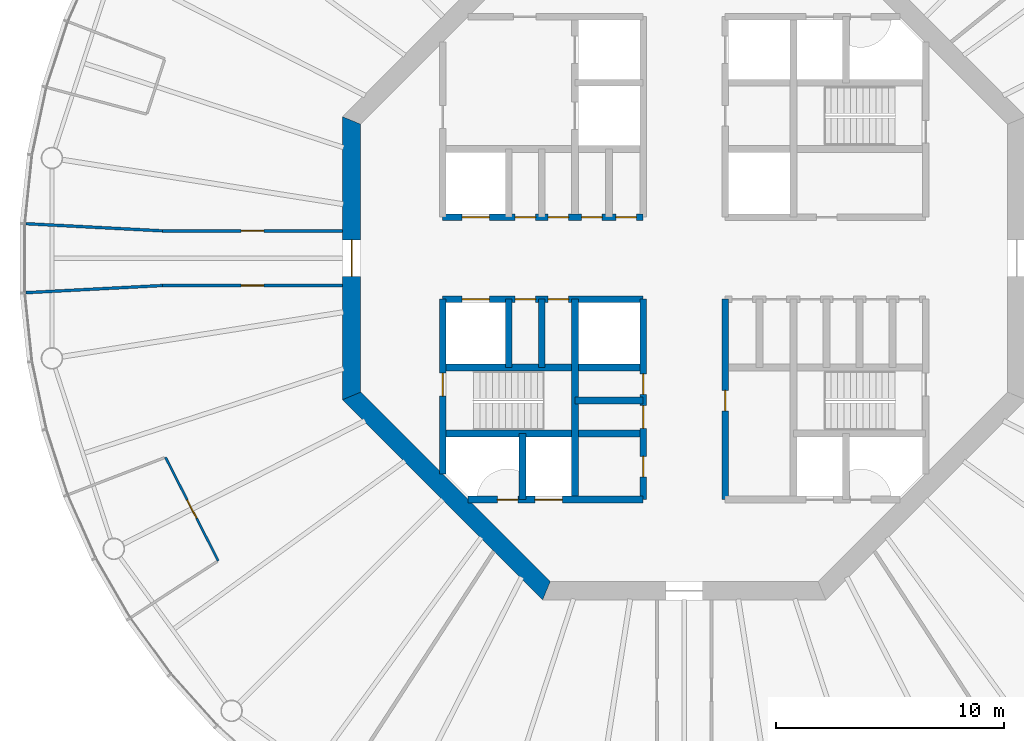
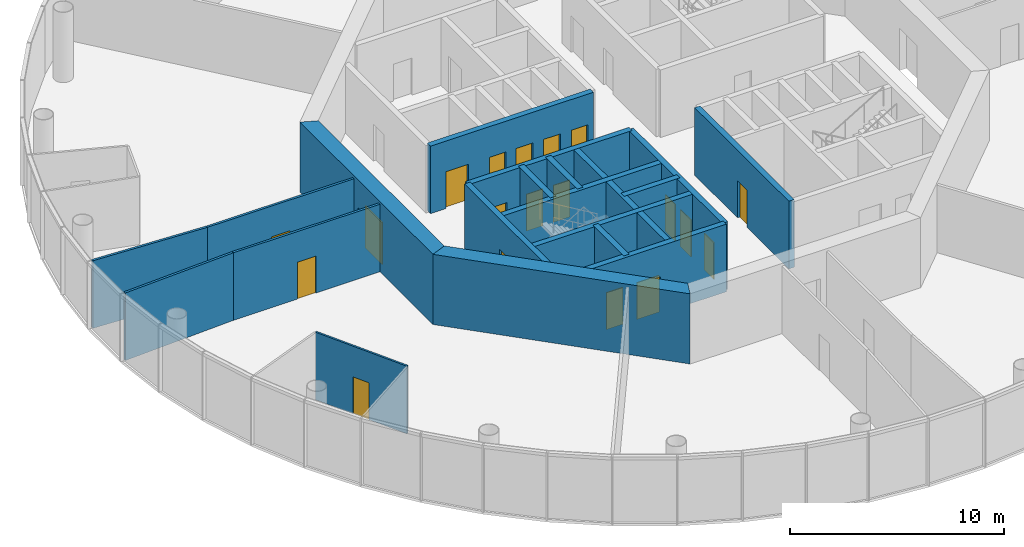
# One storey, part 3 of 13: 20 walls, 19 doors, 19 openings.
"""IFC4 building model written with IfcOpenShell, lengths in metres."""

from ifc_helpers import new_model, si_unit, direction, frame, frame_2d, origin, place, context, subcontext, project, spatial, polyline, rectangle, outline, extrude, material, layer, layer_set, type_object, element, fill, save


model = new_model("IFC4")

# Units and contexts
model_context = context("Model", 3, precision=1e-05, world=origin(), true_north=direction((0.0, 1.0)))
body_context = subcontext(model_context, "Body", "Model", "MODEL_VIEW")
ifc_project = project(units=[si_unit("LENGTHUNIT", "METRE"), si_unit("AREAUNIT", "SQUARE_METRE"), si_unit("VOLUMEUNIT", "CUBIC_METRE"), si_unit("PLANEANGLEUNIT", "RADIAN"), si_unit("MASSUNIT", "GRAM", prefix="KILO")], contexts=[model_context])

# Site, building, storey
site_placement = place(None, origin())
site = spatial("IfcSite", under=ifc_project, at=site_placement, CompositionType="ELEMENT")
building_placement = place(site_placement, origin())
building = spatial("IfcBuilding", under=site, at=building_placement, Name="Entoto Ring Tower", CompositionType="ELEMENT")
storey_placement = place(building_placement, frame((0.0, 0.0, 318.0)))
storey = spatial("IfcBuildingStorey", under=building, at=storey_placement, Name="L73", CompositionType="ELEMENT", Elevation=318.0)

# Wall, opening, door
ifc_material_1 = material(Name="Concrete C40/50", Category="concrete")
ifc_layer_1 = layer(ifc_material_1, 0.300048828125)
ifc_layer_set_1 = layer_set([ifc_layer_1], Name="Concrete C40/50")
wall_type_1 = type_object("IfcWallType", Name="Core enclosure wall 300 mm reinforced concrete", PredefinedType="SOLIDWALL", material=ifc_layer_set_1)
wall_1_placement = place(storey_placement, frame((91.800048828125, 69.39990234375, 0.0), z_axis=(0.0, 0.0, 1.0), x_axis=(0.0, 1.0, 0.0)))
wall_1 = element("IfcWall", 1, at=wall_1_placement, inside=storey, type_object=wall_type_1, Name="wall-L73-011", PredefinedType="SOLIDWALL", context=body_context, shape_type="SweptSolid", body=[
    extrude(rectangle(XDim=8.800048828125, YDim=0.300048828125, at=frame_2d((4.39990234375, 0.0))), origin(), (0.0, 0.0, 1.0), 3.85009765625),
])
opening_1_placement = place(wall_1_placement, frame((3.89990234375, 0.0, 0.0)))
opening_1 = element("IfcOpeningElement", 2, at=opening_1_placement, cuts=wall_1, Name="Opening K-21", PredefinedType="OPENING", context=body_context, shape_type="SweptSolid", body=[
    extrude(rectangle(XDim=0.89990234375, YDim=2.10009765625, at=frame_2d((0.449951171875, 1.050048828125))), frame((0.0, 0.16015625, 0.0), z_axis=(0.0, -1.0, 0.0), x_axis=(1.0, 0.0, 0.0)), (0.0, 0.0, 1.0), 0.320068359375),
])
ifc_material_2 = material(Name="Steel door leaf, fire rated", Category="steel")
ifc_layer_2 = layer(ifc_material_2, 0.050048828125)
ifc_layer_set_2 = layer_set([ifc_layer_2], Name="Steel door leaf, fire rated")
door_type_1 = type_object("IfcDoorType", Name="Core door 900 x 2100 single leaf", OperationType="NOTDEFINED", PredefinedType="DOOR", material=ifc_layer_set_2)
door_1_placement = place(opening_1_placement, frame((0.89990234375, 0.0, 0.0), z_axis=(0.0, 0.0, 1.0), x_axis=(-1.0, 0.0, 0.0)))
door_1 = element("IfcDoor", 3, at=door_1_placement, inside=storey, type_object=door_type_1, Name="Door K-21", OperationType="SINGLE_SWING_LEFT", OverallHeight=2.10009765625, OverallWidth=0.89990234375, PredefinedType="DOOR", context=body_context, shape_type="SweptSolid", body=[
    extrude(rectangle(XDim=0.89990234375, YDim=2.10009765625, at=frame_2d((0.449951171875, 1.050048828125))), frame((0.0, 0.02490234375, 0.0), z_axis=(0.0, -1.0, 0.0), x_axis=(1.0, 0.0, 0.0)), (0.0, 0.0, 1.0), 0.050048828125),
])
fill(opening_1, door_1)

# Wall, openings, doors
wall_2_placement = place(storey_placement, frame((88.199951171875, 69.39990234375, 0.0), z_axis=(0.0, 0.0, 1.0), x_axis=(0.0, 1.0, 0.0)))
wall_2 = element("IfcWall", 4, at=wall_2_placement, inside=storey, type_object=wall_type_1, Name="wall-L73-013", PredefinedType="SOLIDWALL", context=body_context, shape_type="SweptSolid", body=[
    extrude(rectangle(XDim=8.800048828125, YDim=0.300048828125, at=frame_2d((4.39990234375, 0.0))), origin(), (0.0, 0.0, 1.0), 3.85009765625),
])
opening_2_placement = place(wall_2_placement, frame((3.125, 0.0, 0.0)))
opening_2 = element("IfcOpeningElement", 5, at=opening_2_placement, cuts=wall_2, Name="Opening K-70", PredefinedType="OPENING", context=body_context, shape_type="SweptSolid", body=[
    extrude(rectangle(XDim=1.0, YDim=2.10009765625, at=frame_2d((0.5, 1.050048828125))), frame((0.0, 0.16015625, 0.0), z_axis=(0.0, -1.0, 0.0), x_axis=(1.0, 0.0, 0.0)), (0.0, 0.0, 1.0), 0.320068359375),
])
opening_3_placement = place(wall_2_placement, frame((4.625, 0.0, 0.0)))
opening_3 = element("IfcOpeningElement", 6, at=opening_3_placement, cuts=wall_2, Name="Opening K-71", PredefinedType="OPENING", context=body_context, shape_type="SweptSolid", body=[
    extrude(rectangle(XDim=0.89990234375, YDim=2.10009765625, at=frame_2d((0.449951171875, 1.050048828125))), frame((0.0, 0.16015625, 0.0), z_axis=(0.0, -1.0, 0.0), x_axis=(1.0, 0.0, 0.0)), (0.0, 0.0, 1.0), 0.320068359375),
])
opening_4_placement = place(wall_2_placement, frame((1.0, 0.0, 0.0)))
opening_4 = element("IfcOpeningElement", 7, at=opening_4_placement, cuts=wall_2, Name="Opening K-24", PredefinedType="OPENING", context=body_context, shape_type="SweptSolid", body=[
    extrude(rectangle(XDim=0.89990234375, YDim=2.10009765625, at=frame_2d((0.449951171875, 1.050048828125))), frame((0.0, 0.16015625, 0.0), z_axis=(0.0, -1.0, 0.0), x_axis=(1.0, 0.0, 0.0)), (0.0, 0.0, 1.0), 0.320068359375),
])
ifc_material_3 = material(Name="Steel door leaf, fire rated", Category="steel")
ifc_layer_3 = layer(ifc_material_3, 0.050048828125)
ifc_layer_set_3 = layer_set([ifc_layer_3], Name="Steel door leaf, fire rated")
door_type_2 = type_object("IfcDoorType", Name="Accessible door 1000 x 2100 single leaf", OperationType="NOTDEFINED", PredefinedType="DOOR", material=ifc_layer_set_3)
door_2_placement = place(opening_2_placement, origin())
door_2 = element("IfcDoor", 8, at=door_2_placement, inside=storey, type_object=door_type_2, Name="Door K-70", OperationType="SINGLE_SWING_RIGHT", OverallHeight=2.10009765625, OverallWidth=1.0, PredefinedType="DOOR", context=body_context, shape_type="SweptSolid", body=[
    extrude(rectangle(XDim=1.0, YDim=2.10009765625, at=frame_2d((0.5, 1.050048828125))), frame((0.0, 0.02490234375, 0.0), z_axis=(0.0, -1.0, 0.0), x_axis=(1.0, 0.0, 0.0)), (0.0, 0.0, 1.0), 0.050048828125),
])
fill(opening_2, door_2)
door_3_placement = place(opening_3_placement, origin())
door_3 = element("IfcDoor", 9, at=door_3_placement, inside=storey, type_object=door_type_1, Name="Door K-71", OperationType="SINGLE_SWING_RIGHT", OverallHeight=2.10009765625, OverallWidth=0.89990234375, PredefinedType="DOOR", context=body_context, shape_type="SweptSolid", body=[
    extrude(rectangle(XDim=0.89990234375, YDim=2.10009765625, at=frame_2d((0.449951171875, 1.050048828125))), frame((0.0, 0.02490234375, 0.0), z_axis=(0.0, -1.0, 0.0), x_axis=(1.0, 0.0, 0.0)), (0.0, 0.0, 1.0), 0.050048828125),
])
fill(opening_3, door_3)
door_4_placement = place(opening_4_placement, origin())
door_4 = element("IfcDoor", 10, at=door_4_placement, inside=storey, type_object=door_type_1, Name="Door K-24", OperationType="SINGLE_SWING_RIGHT", OverallHeight=2.10009765625, OverallWidth=0.89990234375, PredefinedType="DOOR", context=body_context, shape_type="SweptSolid", body=[
    extrude(rectangle(XDim=0.89990234375, YDim=2.10009765625, at=frame_2d((0.449951171875, 1.050048828125))), frame((0.0, 0.02490234375, 0.0), z_axis=(0.0, -1.0, 0.0), x_axis=(1.0, 0.0, 0.0)), (0.0, 0.0, 1.0), 0.050048828125),
])
fill(opening_4, door_4)

# Walls
wall_3_placement = place(storey_placement, frame((85.199951171875, 69.39990234375, 0.0), z_axis=(0.0, 0.0, 1.0), x_axis=(0.0, 1.0, 0.0)))
element("IfcWall", 11, at=wall_3_placement, inside=storey, type_object=wall_type_1, Name="wall-L73-016", PredefinedType="SOLIDWALL", context=body_context, shape_type="SweptSolid", body=[
    extrude(rectangle(XDim=8.800048828125, YDim=0.300048828125, at=frame_2d((4.39990234375, 0.0))), origin(), (0.0, 0.0, 1.0), 3.85009765625),
])
wall_4_placement = place(storey_placement, frame((83.75, 75.199951171875, 0.0), z_axis=(0.0, 0.0, 1.0), x_axis=(0.0, 1.0, 0.0)))
element("IfcWall", 12, at=wall_4_placement, inside=storey, type_object=wall_type_1, Name="wall-L73-018", PredefinedType="SOLIDWALL", context=body_context, shape_type="SweptSolid", body=[
    extrude(rectangle(XDim=3.0, YDim=0.300048828125, at=frame_2d((1.5, 0.0))), origin(), (0.0, 0.0, 1.0), 3.85009765625),
])
wall_5_placement = place(storey_placement, frame((82.89990234375, 69.39990234375, 0.0), z_axis=(0.0, 0.0, 1.0), x_axis=(0.0, 1.0, 0.0)))
element("IfcWall", 13, at=wall_5_placement, inside=storey, type_object=wall_type_1, Name="wall-L73-020", PredefinedType="SOLIDWALL", context=body_context, shape_type="SweptSolid", body=[
    extrude(rectangle(XDim=2.900146484375, YDim=0.300048828125, at=frame_2d((1.4501953125, 0.0))), origin(), (0.0, 0.0, 1.0), 3.85009765625),
])
wall_6_placement = place(storey_placement, frame((82.300048828125, 75.199951171875, 0.0), z_axis=(0.0, 0.0, 1.0), x_axis=(0.0, 1.0, 0.0)))
element("IfcWall", 14, at=wall_6_placement, inside=storey, type_object=wall_type_1, Name="wall-L73-021", PredefinedType="SOLIDWALL", context=body_context, shape_type="SweptSolid", body=[
    extrude(rectangle(XDim=3.0, YDim=0.300048828125, at=frame_2d((1.5, 0.0))), origin(), (0.0, 0.0, 1.0), 3.85009765625),
])

# Wall, opening, door
wall_7_placement = place(storey_placement, frame((79.39990234375, 70.518310546875, 0.0), z_axis=(0.0, 0.0, 1.0), x_axis=(0.0, 1.0, 0.0)))
wall_7 = element("IfcWall", 15, at=wall_7_placement, inside=storey, type_object=wall_type_1, Name="wall-L73-023", PredefinedType="SOLIDWALL", context=body_context, shape_type="SweptSolid", body=[
    extrude(rectangle(XDim=7.681640625, YDim=0.300048828125, at=frame_2d((3.8408203125, 0.0))), origin(), (0.0, 0.0, 1.0), 3.85009765625),
])
opening_5_placement = place(wall_7_placement, frame((3.431884765625, 0.0, 0.0)))
opening_5 = element("IfcOpeningElement", 16, at=opening_5_placement, cuts=wall_7, Name="Opening K-30", PredefinedType="OPENING", context=body_context, shape_type="SweptSolid", body=[
    extrude(rectangle(XDim=1.0, YDim=2.10009765625, at=frame_2d((0.5, 1.050048828125))), frame((0.0, 0.16015625, 0.0), z_axis=(0.0, -1.0, 0.0), x_axis=(1.0, 0.0, 0.0)), (0.0, 0.0, 1.0), 0.320068359375),
])
ifc_material_4 = material(Name="Steel door leaf, fire rated", Category="steel")
ifc_layer_4 = layer(ifc_material_4, 0.050048828125)
ifc_layer_set_4 = layer_set([ifc_layer_4], Name="Steel door leaf, fire rated")
door_type_3 = type_object("IfcDoorType", Name="Fire door FD60 1000 x 2100 single leaf", OperationType="NOTDEFINED", PredefinedType="DOOR", material=ifc_layer_set_4)
door_5_placement = place(opening_5_placement, frame((1.0, 0.0, 0.0), z_axis=(0.0, 0.0, 1.0), x_axis=(-1.0, 0.0, 0.0)))
door_5 = element("IfcDoor", 17, at=door_5_placement, inside=storey, type_object=door_type_3, Name="Door K-30", OperationType="SINGLE_SWING_LEFT", OverallHeight=2.10009765625, OverallWidth=1.0, PredefinedType="DOOR", context=body_context, shape_type="SweptSolid", body=[
    extrude(rectangle(XDim=1.0, YDim=2.10009765625, at=frame_2d((0.5, 1.050048828125))), frame((0.0, 0.02490234375, 0.0), z_axis=(0.0, -1.0, 0.0), x_axis=(1.0, 0.0, 0.0)), (0.0, 0.0, 1.0), 0.050048828125),
])
fill(opening_5, door_5)

# Wall, openings, doors
wall_8_placement = place(storey_placement, frame((80.518310546875, 69.39990234375, 0.0), z_axis=(0.0, 0.0, 1.0), x_axis=(1.0, 0.0, 0.0)))
wall_8 = element("IfcWall", 18, at=wall_8_placement, inside=storey, type_object=wall_type_1, Name="wall-L73-025", PredefinedType="SOLIDWALL", context=body_context, shape_type="SweptSolid", body=[
    extrude(rectangle(XDim=7.681640625, YDim=0.300048828125, at=frame_2d((3.8408203125, 0.0))), origin(), (0.0, 0.0, 1.0), 3.85009765625),
])
opening_6_placement = place(wall_8_placement, frame((2.931884765625, 0.0, 0.0)))
opening_6 = element("IfcOpeningElement", 19, at=opening_6_placement, cuts=wall_8, Name="Opening LD", PredefinedType="OPENING", context=body_context, shape_type="SweptSolid", body=[
    extrude(rectangle(XDim=1.199951171875, YDim=2.10009765625, at=frame_2d((0.60009765625, 1.050048828125))), frame((0.0, 0.16015625, 0.0), z_axis=(0.0, -1.0, 0.0), x_axis=(1.0, 0.0, 0.0)), (0.0, 0.0, 1.0), 0.320068359375),
])
opening_7_placement = place(wall_8_placement, frame((1.28173828125, 0.0, 0.0)))
opening_7 = element("IfcOpeningElement", 20, at=opening_7_placement, cuts=wall_8, Name="Opening K-33", PredefinedType="OPENING", context=body_context, shape_type="SweptSolid", body=[
    extrude(rectangle(XDim=0.89990234375, YDim=2.10009765625, at=frame_2d((0.449951171875, 1.050048828125))), frame((0.0, 0.16015625, 0.0), z_axis=(0.0, -1.0, 0.0), x_axis=(1.0, 0.0, 0.0)), (0.0, 0.0, 1.0), 0.320068359375),
])
ifc_material_5 = material(Name="Steel and glass door leaf", Category="steel")
ifc_layer_5 = layer(ifc_material_5, 0.050048828125)
ifc_layer_set_5 = layer_set([ifc_layer_5], Name="Steel and glass door leaf")
door_type_4 = type_object("IfcDoorType", Name="Landing door 1200 x 2100 sliding", OperationType="DOUBLE_DOOR_SLIDING", PredefinedType="DOOR", material=ifc_layer_set_5)
door_6_placement = place(opening_6_placement, origin())
door_6 = element("IfcDoor", 21, at=door_6_placement, inside=storey, type_object=door_type_4, Name="Landing door LB3-HR", OperationType="SLIDING_TO_RIGHT", OverallHeight=2.10009765625, OverallWidth=1.199951171875, PredefinedType="DOOR", context=body_context, shape_type="SweptSolid", body=[
    extrude(rectangle(XDim=1.199951171875, YDim=2.10009765625, at=frame_2d((0.60009765625, 1.050048828125))), frame((0.0, 0.02490234375, 0.0), z_axis=(0.0, -1.0, 0.0), x_axis=(1.0, 0.0, 0.0)), (0.0, 0.0, 1.0), 0.050048828125),
])
fill(opening_6, door_6)
ifc_material_6 = material(Name="Steel door leaf, fire rated", Category="steel")
ifc_layer_6 = layer(ifc_material_6, 0.050048828125)
ifc_layer_set_6 = layer_set([ifc_layer_6], Name="Steel door leaf, fire rated")
door_type_5 = type_object("IfcDoorType", Name="Riser door FD60 900 x 2100 single leaf", OperationType="NOTDEFINED", PredefinedType="DOOR", material=ifc_layer_set_6)
door_7_placement = place(opening_7_placement, origin())
door_7 = element("IfcDoor", 22, at=door_7_placement, inside=storey, type_object=door_type_5, Name="Door K-33", OperationType="SINGLE_SWING_RIGHT", OverallHeight=2.10009765625, OverallWidth=0.89990234375, PredefinedType="DOOR", context=body_context, shape_type="SweptSolid", body=[
    extrude(rectangle(XDim=0.89990234375, YDim=2.10009765625, at=frame_2d((0.449951171875, 1.050048828125))), frame((0.0, 0.02490234375, 0.0), z_axis=(0.0, -1.0, 0.0), x_axis=(1.0, 0.0, 0.0)), (0.0, 0.0, 1.0), 0.050048828125),
])
fill(opening_7, door_7)

# Walls
wall_9_placement = place(storey_placement, frame((79.39990234375, 72.300048828125, 0.0), z_axis=(0.0, 0.0, 1.0), x_axis=(1.0, 0.0, 0.0)))
element("IfcWall", 23, at=wall_9_placement, inside=storey, type_object=wall_type_1, Name="wall-L73-027", PredefinedType="SOLIDWALL", context=body_context, shape_type="SweptSolid", body=[
    extrude(rectangle(XDim=8.800048828125, YDim=0.300048828125, at=frame_2d((4.39990234375, 0.0))), origin(), (0.0, 0.0, 1.0), 3.85009765625),
])
wall_10_placement = place(storey_placement, frame((85.199951171875, 73.75, 0.0), z_axis=(0.0, 0.0, 1.0), x_axis=(1.0, 0.0, 0.0)))
element("IfcWall", 24, at=wall_10_placement, inside=storey, type_object=wall_type_1, Name="wall-L73-029", PredefinedType="SOLIDWALL", context=body_context, shape_type="SweptSolid", body=[
    extrude(rectangle(XDim=3.0, YDim=0.300048828125, at=frame_2d((1.5, 0.0))), origin(), (0.0, 0.0, 1.0), 3.85009765625),
])
wall_11_placement = place(storey_placement, frame((79.39990234375, 75.199951171875, 0.0), z_axis=(0.0, 0.0, 1.0), x_axis=(1.0, 0.0, 0.0)))
element("IfcWall", 25, at=wall_11_placement, inside=storey, type_object=wall_type_1, Name="wall-L73-030", PredefinedType="SOLIDWALL", context=body_context, shape_type="SweptSolid", body=[
    extrude(rectangle(XDim=8.800048828125, YDim=0.300048828125, at=frame_2d((4.39990234375, 0.0))), origin(), (0.0, 0.0, 1.0), 3.85009765625),
])

# Wall, openings, doors
wall_12_placement = place(storey_placement, frame((79.39990234375, 78.199951171875, 0.0), z_axis=(0.0, 0.0, 1.0), x_axis=(1.0, 0.0, 0.0)))
wall_12 = element("IfcWall", 26, at=wall_12_placement, inside=storey, type_object=wall_type_1, Name="wall-L73-032", PredefinedType="SOLIDWALL", context=body_context, shape_type="SweptSolid", body=[
    extrude(rectangle(XDim=8.800048828125, YDim=0.300048828125, at=frame_2d((4.39990234375, 0.0))), origin(), (0.0, 0.0, 1.0), 3.85009765625),
])
opening_8_placement = place(wall_12_placement, frame((0.85009765625, 0.0, 0.0)))
opening_8 = element("IfcOpeningElement", 27, at=opening_8_placement, cuts=wall_12, Name="Opening LD", PredefinedType="OPENING", context=body_context, shape_type="SweptSolid", body=[
    extrude(rectangle(XDim=1.199951171875, YDim=2.10009765625, at=frame_2d((0.60009765625, 1.050048828125))), frame((0.0, 0.16015625, 0.0), z_axis=(0.0, -1.0, 0.0), x_axis=(1.0, 0.0, 0.0)), (0.0, 0.0, 1.0), 0.320068359375),
])
opening_9_placement = place(wall_12_placement, frame((3.175048828125, 0.0, 0.0)))
opening_9 = element("IfcOpeningElement", 28, at=opening_9_placement, cuts=wall_12, Name="Opening K-18", PredefinedType="OPENING", context=body_context, shape_type="SweptSolid", body=[
    extrude(rectangle(XDim=0.89990234375, YDim=2.10009765625, at=frame_2d((0.449951171875, 1.050048828125))), frame((0.0, 0.16015625, 0.0), z_axis=(0.0, -1.0, 0.0), x_axis=(1.0, 0.0, 0.0)), (0.0, 0.0, 1.0), 0.320068359375),
])
opening_10_placement = place(wall_12_placement, frame((4.625, 0.0, 0.0)))
opening_10 = element("IfcOpeningElement", 29, at=opening_10_placement, cuts=wall_12, Name="Opening K-19", PredefinedType="OPENING", context=body_context, shape_type="SweptSolid", body=[
    extrude(rectangle(XDim=0.89990234375, YDim=2.10009765625, at=frame_2d((0.449951171875, 1.050048828125))), frame((0.0, 0.16015625, 0.0), z_axis=(0.0, -1.0, 0.0), x_axis=(1.0, 0.0, 0.0)), (0.0, 0.0, 1.0), 0.320068359375),
])
door_8_placement = place(opening_9_placement, frame((0.89990234375, 0.0, 0.0), z_axis=(0.0, 0.0, 1.0), x_axis=(-1.0, 0.0, 0.0)))
door_8 = element("IfcDoor", 30, at=door_8_placement, inside=storey, type_object=door_type_1, Name="Door K-18", OperationType="SINGLE_SWING_LEFT", OverallHeight=2.10009765625, OverallWidth=0.89990234375, PredefinedType="DOOR", context=body_context, shape_type="SweptSolid", body=[
    extrude(rectangle(XDim=0.89990234375, YDim=2.10009765625, at=frame_2d((0.449951171875, 1.050048828125))), frame((0.0, 0.02490234375, 0.0), z_axis=(0.0, -1.0, 0.0), x_axis=(1.0, 0.0, 0.0)), (0.0, 0.0, 1.0), 0.050048828125),
])
fill(opening_9, door_8)
door_9_placement = place(opening_10_placement, frame((0.89990234375, 0.0, 0.0), z_axis=(0.0, 0.0, 1.0), x_axis=(-1.0, 0.0, 0.0)))
door_9 = element("IfcDoor", 31, at=door_9_placement, inside=storey, type_object=door_type_1, Name="Door K-19", OperationType="SINGLE_SWING_LEFT", OverallHeight=2.10009765625, OverallWidth=0.89990234375, PredefinedType="DOOR", context=body_context, shape_type="SweptSolid", body=[
    extrude(rectangle(XDim=0.89990234375, YDim=2.10009765625, at=frame_2d((0.449951171875, 1.050048828125))), frame((0.0, 0.02490234375, 0.0), z_axis=(0.0, -1.0, 0.0), x_axis=(1.0, 0.0, 0.0)), (0.0, 0.0, 1.0), 0.050048828125),
])
fill(opening_10, door_9)
door_10_placement = place(opening_8_placement, origin())
door_10 = element("IfcDoor", 32, at=door_10_placement, inside=storey, type_object=door_type_4, Name="Landing door SH2", OperationType="SLIDING_TO_RIGHT", OverallHeight=2.10009765625, OverallWidth=1.199951171875, PredefinedType="DOOR", context=body_context, shape_type="SweptSolid", body=[
    extrude(rectangle(XDim=1.199951171875, YDim=2.10009765625, at=frame_2d((0.60009765625, 1.050048828125))), frame((0.0, 0.02490234375, 0.0), z_axis=(0.0, -1.0, 0.0), x_axis=(1.0, 0.0, 0.0)), (0.0, 0.0, 1.0), 0.050048828125),
])
fill(opening_8, door_10)

wall_13_placement = place(storey_placement, frame((79.39990234375, 81.800048828125, 0.0), z_axis=(0.0, 0.0, 1.0), x_axis=(1.0, 0.0, 0.0)))
wall_13 = element("IfcWall", 33, at=wall_13_placement, inside=storey, type_object=wall_type_1, Name="wall-L73-034", PredefinedType="SOLIDWALL", context=body_context, shape_type="SweptSolid", body=[
    extrude(rectangle(XDim=8.800048828125, YDim=0.300048828125, at=frame_2d((4.39990234375, 0.0))), origin(), (0.0, 0.0, 1.0), 3.85009765625),
])
opening_11_placement = place(wall_13_placement, frame((0.85009765625, 0.0, 0.0)))
opening_11 = element("IfcOpeningElement", 34, at=opening_11_placement, cuts=wall_13, Name="Opening LD", PredefinedType="OPENING", context=body_context, shape_type="SweptSolid", body=[
    extrude(rectangle(XDim=1.199951171875, YDim=2.10009765625, at=frame_2d((0.60009765625, 1.050048828125))), frame((0.0, 0.16015625, 0.0), z_axis=(0.0, -1.0, 0.0), x_axis=(1.0, 0.0, 0.0)), (0.0, 0.0, 1.0), 0.320068359375),
])
opening_12_placement = place(wall_13_placement, frame((3.175048828125, 0.0, 0.0)))
opening_12 = element("IfcOpeningElement", 35, at=opening_12_placement, cuts=wall_13, Name="Opening K-12", PredefinedType="OPENING", context=body_context, shape_type="SweptSolid", body=[
    extrude(rectangle(XDim=0.89990234375, YDim=2.10009765625, at=frame_2d((0.449951171875, 1.050048828125))), frame((0.0, 0.16015625, 0.0), z_axis=(0.0, -1.0, 0.0), x_axis=(1.0, 0.0, 0.0)), (0.0, 0.0, 1.0), 0.320068359375),
])
opening_13_placement = place(wall_13_placement, frame((4.625, 0.0, 0.0)))
opening_13 = element("IfcOpeningElement", 36, at=opening_13_placement, cuts=wall_13, Name="Opening K-46", PredefinedType="OPENING", context=body_context, shape_type="SweptSolid", body=[
    extrude(rectangle(XDim=0.89990234375, YDim=2.10009765625, at=frame_2d((0.449951171875, 1.050048828125))), frame((0.0, 0.16015625, 0.0), z_axis=(0.0, -1.0, 0.0), x_axis=(1.0, 0.0, 0.0)), (0.0, 0.0, 1.0), 0.320068359375),
])
opening_14_placement = place(wall_13_placement, frame((6.10009765625, 0.0, 0.0)))
opening_14 = element("IfcOpeningElement", 37, at=opening_14_placement, cuts=wall_13, Name="Opening K-25", PredefinedType="OPENING", context=body_context, shape_type="SweptSolid", body=[
    extrude(rectangle(XDim=0.89990234375, YDim=2.10009765625, at=frame_2d((0.449951171875, 1.050048828125))), frame((0.0, 0.16015625, 0.0), z_axis=(0.0, -1.0, 0.0), x_axis=(1.0, 0.0, 0.0)), (0.0, 0.0, 1.0), 0.320068359375),
])
opening_15_placement = place(wall_13_placement, frame((7.60009765625, 0.0, 0.0)))
opening_15 = element("IfcOpeningElement", 38, at=opening_15_placement, cuts=wall_13, Name="Opening K-77", PredefinedType="OPENING", context=body_context, shape_type="SweptSolid", body=[
    extrude(rectangle(XDim=0.89990234375, YDim=2.10009765625, at=frame_2d((0.449951171875, 1.050048828125))), frame((0.0, 0.16015625, 0.0), z_axis=(0.0, -1.0, 0.0), x_axis=(1.0, 0.0, 0.0)), (0.0, 0.0, 1.0), 0.320068359375),
])
door_11_placement = place(opening_12_placement, origin())
door_11 = element("IfcDoor", 39, at=door_11_placement, inside=storey, type_object=door_type_1, Name="Door K-12", OperationType="SINGLE_SWING_RIGHT", OverallHeight=2.10009765625, OverallWidth=0.89990234375, PredefinedType="DOOR", context=body_context, shape_type="SweptSolid", body=[
    extrude(rectangle(XDim=0.89990234375, YDim=2.10009765625, at=frame_2d((0.449951171875, 1.050048828125))), frame((0.0, 0.02490234375, 0.0), z_axis=(0.0, -1.0, 0.0), x_axis=(1.0, 0.0, 0.0)), (0.0, 0.0, 1.0), 0.050048828125),
])
fill(opening_12, door_11)
door_12_placement = place(opening_13_placement, origin())
door_12 = element("IfcDoor", 40, at=door_12_placement, inside=storey, type_object=door_type_1, Name="Door K-46", OperationType="SINGLE_SWING_RIGHT", OverallHeight=2.10009765625, OverallWidth=0.89990234375, PredefinedType="DOOR", context=body_context, shape_type="SweptSolid", body=[
    extrude(rectangle(XDim=0.89990234375, YDim=2.10009765625, at=frame_2d((0.449951171875, 1.050048828125))), frame((0.0, 0.02490234375, 0.0), z_axis=(0.0, -1.0, 0.0), x_axis=(1.0, 0.0, 0.0)), (0.0, 0.0, 1.0), 0.050048828125),
])
fill(opening_13, door_12)
door_13_placement = place(opening_14_placement, origin())
door_13 = element("IfcDoor", 41, at=door_13_placement, inside=storey, type_object=door_type_1, Name="Door K-25", OperationType="SINGLE_SWING_LEFT", OverallHeight=2.10009765625, OverallWidth=0.89990234375, PredefinedType="DOOR", context=body_context, shape_type="SweptSolid", body=[
    extrude(rectangle(XDim=0.89990234375, YDim=2.10009765625, at=frame_2d((0.449951171875, 1.050048828125))), frame((0.0, 0.02490234375, 0.0), z_axis=(0.0, -1.0, 0.0), x_axis=(1.0, 0.0, 0.0)), (0.0, 0.0, 1.0), 0.050048828125),
])
fill(opening_14, door_13)
door_14_placement = place(opening_15_placement, origin())
door_14 = element("IfcDoor", 42, at=door_14_placement, inside=storey, type_object=door_type_1, Name="Door K-77", OperationType="SINGLE_SWING_LEFT", OverallHeight=2.10009765625, OverallWidth=0.89990234375, PredefinedType="DOOR", context=body_context, shape_type="SweptSolid", body=[
    extrude(rectangle(XDim=0.89990234375, YDim=2.10009765625, at=frame_2d((0.449951171875, 1.050048828125))), frame((0.0, 0.02490234375, 0.0), z_axis=(0.0, -1.0, 0.0), x_axis=(1.0, 0.0, 0.0)), (0.0, 0.0, 1.0), 0.050048828125),
])
fill(opening_15, door_14)
door_15_placement = place(opening_11_placement, origin())
door_15 = element("IfcDoor", 43, at=door_15_placement, inside=storey, type_object=door_type_4, Name="Landing door SH1", OperationType="SLIDING_TO_RIGHT", OverallHeight=2.10009765625, OverallWidth=1.199951171875, PredefinedType="DOOR", context=body_context, shape_type="SweptSolid", body=[
    extrude(rectangle(XDim=1.199951171875, YDim=2.10009765625, at=frame_2d((0.60009765625, 1.050048828125))), frame((0.0, 0.02490234375, 0.0), z_axis=(0.0, -1.0, 0.0), x_axis=(1.0, 0.0, 0.0)), (0.0, 0.0, 1.0), 0.050048828125),
])
fill(opening_11, door_15)

# Wall, opening, door
ifc_material_7 = material(Name="Concrete C40/50", Category="concrete")
ifc_layer_7 = layer(ifc_material_7, 0.800048828125)
ifc_layer_set_7 = layer_set([ifc_layer_7], Name="Concrete C40/50")
wall_type_2 = type_object("IfcWallType", Name="Core shear wall 800 mm reinforced concrete C40/50", PredefinedType="SHEAR", material=ifc_layer_set_7)
wall_14_placement = place(storey_placement, frame((75.39990234375, 86.047607421875, 0.0), z_axis=(0.0, 0.0, 1.0), x_axis=(0.0, -1.0, 0.0)))
wall_14 = element("IfcWall", 44, at=wall_14_placement, inside=storey, type_object=wall_type_2, Name="wall-L73-core-4", PredefinedType="SHEAR", context=body_context, shape_type="SweptSolid", body=[
    extrude(outline(polyline([(-0.165771484375, -0.39990234375), (12.260986328125, -0.39990234375), (11.929443359375, 0.39990234375), (0.165771484375, 0.39990234375), (-0.165771484375, -0.39990234375)])), origin(), (0.0, 0.0, 1.0), 4.0),
])
opening_16_placement = place(wall_14_placement, frame((5.24755859375, 0.0, 0.0)))
opening_16 = element("IfcOpeningElement", 45, at=opening_16_placement, cuts=wall_14, Name="Opening K-03", PredefinedType="OPENING", context=body_context, shape_type="SweptSolid", body=[
    extrude(rectangle(XDim=1.60009765625, YDim=2.39990234375, at=frame_2d((0.800048828125, 1.199951171875))), frame((0.0, 0.41015625, 0.0), z_axis=(0.0, -1.0, 0.0), x_axis=(1.0, 0.0, 0.0)), (0.0, 0.0, 1.0), 0.820068359375),
])
ifc_material_8 = material(Name="Steel door leaf, fire rated", Category="steel")
ifc_layer_8 = layer(ifc_material_8, 0.050048828125)
ifc_layer_set_8 = layer_set([ifc_layer_8], Name="Steel door leaf, fire rated")
door_type_6 = type_object("IfcDoorType", Name="Entrance door FD60 1600 x 2400 double leaf", OperationType="DOUBLE_DOOR_SINGLE_SWING", PredefinedType="DOOR", material=ifc_layer_set_8)
door_16_placement = place(opening_16_placement, origin())
door_16 = element("IfcDoor", 46, at=door_16_placement, inside=storey, type_object=door_type_6, Name="Entrance door K-03", OperationType="DOUBLE_DOOR_SINGLE_SWING", OverallHeight=2.39990234375, OverallWidth=1.60009765625, PredefinedType="DOOR", context=body_context, shape_type="SweptSolid", body=[
    extrude(rectangle(XDim=1.60009765625, YDim=2.39990234375, at=frame_2d((0.800048828125, 1.199951171875))), frame((0.0, 0.02490234375, 0.0), z_axis=(0.0, -1.0, 0.0), x_axis=(1.0, 0.0, 0.0)), (0.0, 0.0, 1.0), 0.050048828125),
])
fill(opening_16, door_16)

# Wall
wall_15_placement = place(storey_placement, frame((75.39990234375, 73.952392578125, 0.0), z_axis=(0.0, 0.0, 1.0), x_axis=(0.707106781187, -0.707106781187, 0.0)))
element("IfcWall", 47, at=wall_15_placement, inside=storey, type_object=wall_type_2, Name="wall-L73-core-5", PredefinedType="SHEAR", context=body_context, shape_type="SweptSolid", body=[
    extrude(outline(polyline([(-0.165771484375, -0.39990234375), (12.2607421875, -0.39990234375), (11.92919921875, 0.39990234375), (0.165771484375, 0.39990234375), (-0.165771484375, -0.39990234375)])), origin(), (0.0, 0.0, 1.0), 4.0),
])

# Wall, opening, door
ifc_material_9 = material(Name="Fire-resisting plasterboard on steel studs", Category="steel")
ifc_layer_9 = layer(ifc_material_9, 0.125)
ifc_layer_set_9 = layer_set([ifc_layer_9], Name="Fire-resisting plasterboard on steel studs")
wall_type_3 = type_object("IfcWallType", Name="Corridor wall 125 mm one-hour plasterboard on steel studs", PredefinedType="PARTITIONING", material=ifc_layer_set_9)
wall_16_placement = place(storey_placement, frame((67.1025390625, 78.800048828125, 0.0), z_axis=(0.0, 0.0, 1.0), x_axis=(1.0, 0.0, 0.0)))
wall_16 = element("IfcWall", 48, at=wall_16_placement, inside=storey, type_object=wall_type_3, Name="partition-L73-001", PredefinedType="PARTITIONING", context=body_context, shape_type="SweptSolid", body=[
    extrude(rectangle(XDim=7.8974609375, YDim=0.125, at=frame_2d((3.94873046875, 0.0))), origin(), (0.0, 0.0, 1.0), 3.85009765625),
])
opening_17_placement = place(wall_16_placement, frame((3.44873046875, 0.0, 0.0)))
opening_17 = element("IfcOpeningElement", 49, at=opening_17_placement, cuts=wall_16, Name="Opening A31-D09", PredefinedType="OPENING", context=body_context, shape_type="SweptSolid", body=[
    extrude(rectangle(XDim=1.0, YDim=2.10009765625, at=frame_2d((0.5, 1.050048828125))), frame((0.0, 0.072509765625, 0.0), z_axis=(0.0, -1.0, 0.0), x_axis=(1.0, 0.0, 0.0)), (0.0, 0.0, 1.0), 0.14501953125),
])
ifc_material_10 = material(Name="Fire-resisting timber door set", Category="wood")
door_type_7 = type_object("IfcDoorType", Name="Door 1000 x 2100 single leaf FD30S fire door", OperationType="NOTDEFINED", PredefinedType="DOOR", material=ifc_material_10)
door_17_placement = place(opening_17_placement, frame((1.0, 0.0, 0.0), z_axis=(0.0, 0.0, 1.0), x_axis=(-1.0, 0.0, 0.0)))
door_17 = element("IfcDoor", 50, at=door_17_placement, inside=storey, type_object=door_type_7, Name="Door A31-D09", OperationType="SINGLE_SWING_LEFT", OverallHeight=2.10009765625, OverallWidth=1.0, PredefinedType="DOOR", context=body_context, shape_type="SweptSolid", body=[
    extrude(rectangle(XDim=1.0, YDim=2.10009765625, at=frame_2d((0.5, 1.050048828125))), frame((0.0, 0.02490234375, 0.0), z_axis=(0.0, -1.0, 0.0), x_axis=(1.0, 0.0, 0.0)), (0.0, 0.0, 1.0), 0.050048828125),
])
fill(opening_17, door_17)

wall_17_placement = place(storey_placement, frame((67.1025390625, 81.199951171875, 0.0), z_axis=(0.0, 0.0, 1.0), x_axis=(1.0, 0.0, 0.0)))
wall_17 = element("IfcWall", 51, at=wall_17_placement, inside=storey, type_object=wall_type_3, Name="partition-L73-002", PredefinedType="PARTITIONING", context=body_context, shape_type="SweptSolid", body=[
    extrude(rectangle(XDim=7.8974609375, YDim=0.125, at=frame_2d((3.94873046875, 0.0))), origin(), (0.0, 0.0, 1.0), 3.85009765625),
])
opening_18_placement = place(wall_17_placement, frame((3.44873046875, 0.0, 0.0)))
opening_18 = element("IfcOpeningElement", 52, at=opening_18_placement, cuts=wall_17, Name="Opening A31-D07", PredefinedType="OPENING", context=body_context, shape_type="SweptSolid", body=[
    extrude(rectangle(XDim=1.0, YDim=2.10009765625, at=frame_2d((0.5, 1.050048828125))), frame((0.0, 0.072509765625, 0.0), z_axis=(0.0, -1.0, 0.0), x_axis=(1.0, 0.0, 0.0)), (0.0, 0.0, 1.0), 0.14501953125),
])
door_18_placement = place(opening_18_placement, origin())
door_18 = element("IfcDoor", 53, at=door_18_placement, inside=storey, type_object=door_type_7, Name="Door A31-D07", OperationType="SINGLE_SWING_RIGHT", OverallHeight=2.10009765625, OverallWidth=1.0, PredefinedType="DOOR", context=body_context, shape_type="SweptSolid", body=[
    extrude(rectangle(XDim=1.0, YDim=2.10009765625, at=frame_2d((0.5, 1.050048828125))), frame((0.0, 0.02490234375, 0.0), z_axis=(0.0, -1.0, 0.0), x_axis=(1.0, 0.0, 0.0)), (0.0, 0.0, 1.0), 0.050048828125),
])
fill(opening_18, door_18)

# Walls
for number, where, z_axis, x_axis, name in (
    (54, (61.099609375, 78.4853515625, 0.0), (0.0, 0.0, 1.0), (0.998629367342, 0.052339150565, 0.0), "partition-L73-009"),
    (55, (67.099365234375, 81.2001953125, 0.0), (0.0, 0.0, 1.0), (-0.998629367342, 0.052339150565, 0.0), "partition-L73-010"),
):
    element("IfcWall", number, at=place(storey_placement, frame(where, z_axis=z_axis, x_axis=x_axis)), inside=storey, type_object=wall_type_3, Name=name, PredefinedType="PARTITIONING", context=body_context, shape_type="SweptSolid", body=[
        extrude(rectangle(XDim=6.008056640625, YDim=0.125, at=frame_2d((3.00390625, 0.0))), origin(), (0.0, 0.0, 1.0), 3.85009765625),
    ])

# Wall, opening, door
ifc_material_11 = material(Name="Plasterboard on steel studs", Category="steel")
ifc_layer_10 = layer(ifc_material_11, 0.10009765625)
ifc_layer_set_10 = layer_set([ifc_layer_10], Name="Plasterboard on steel studs")
wall_type_4 = type_object("IfcWallType", Name="Partition 100 mm plasterboard on steel studs", PredefinedType="PARTITIONING", material=ifc_layer_set_10)
wall_18_placement = place(storey_placement, frame((69.544921875, 66.71630859375, 0.0), z_axis=(0.0, 0.0, 1.0), x_axis=(-0.453999657129, 0.891001858206, 0.0)))
wall_18 = element("IfcWall", 56, at=wall_18_placement, inside=storey, type_object=wall_type_4, Name="partition-L73-024", PredefinedType="PARTITIONING", context=body_context, shape_type="SweptSolid", body=[
    extrude(rectangle(XDim=5.098876953125, YDim=0.10009765625, at=frame_2d((2.54931640625, 0.0))), origin(), (0.0, 0.0, 1.0), 3.85009765625),
])
opening_19_placement = place(wall_18_placement, frame((2.099365234375, 0.0, 0.0)))
opening_19 = element("IfcOpeningElement", 57, at=opening_19_placement, cuts=wall_18, Name="Opening A31-D10", PredefinedType="OPENING", context=body_context, shape_type="SweptSolid", body=[
    extrude(rectangle(XDim=0.89990234375, YDim=2.10009765625, at=frame_2d((0.449951171875, 1.050048828125))), frame((0.0, 0.06005859375, 0.0), z_axis=(0.0, -1.0, 0.0), x_axis=(1.0, 0.0, 0.0)), (0.0, 0.0, 1.0), 0.1201171875),
])
ifc_material_12 = material(Name="Veneered timber door leaf in timber frame", Category="wood")
door_type_8 = type_object("IfcDoorType", Name="Door 900 x 2100 single leaf timber veneer", OperationType="NOTDEFINED", PredefinedType="DOOR", material=ifc_material_12)
door_19_placement = place(opening_19_placement, origin())
door_19 = element("IfcDoor", 58, at=door_19_placement, inside=storey, type_object=door_type_8, Name="Door A31-D10", OperationType="SINGLE_SWING_LEFT", OverallHeight=2.10009765625, OverallWidth=0.89990234375, PredefinedType="DOOR", context=body_context, shape_type="SweptSolid", body=[
    extrude(rectangle(XDim=0.89990234375, YDim=2.10009765625, at=frame_2d((0.449951171875, 1.050048828125))), frame((0.0, 0.02490234375, 0.0), z_axis=(0.0, -1.0, 0.0), x_axis=(1.0, 0.0, 0.0)), (0.0, 0.0, 1.0), 0.050048828125),
])
fill(opening_19, door_19)

save(model, "model.ifc")
